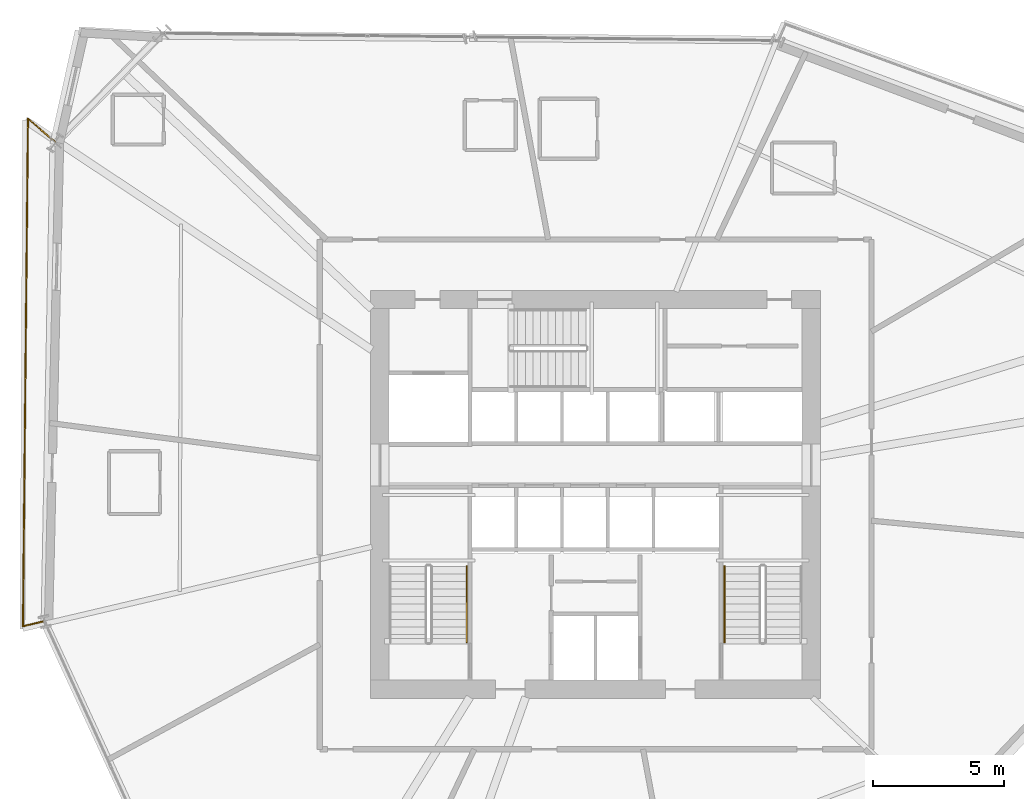
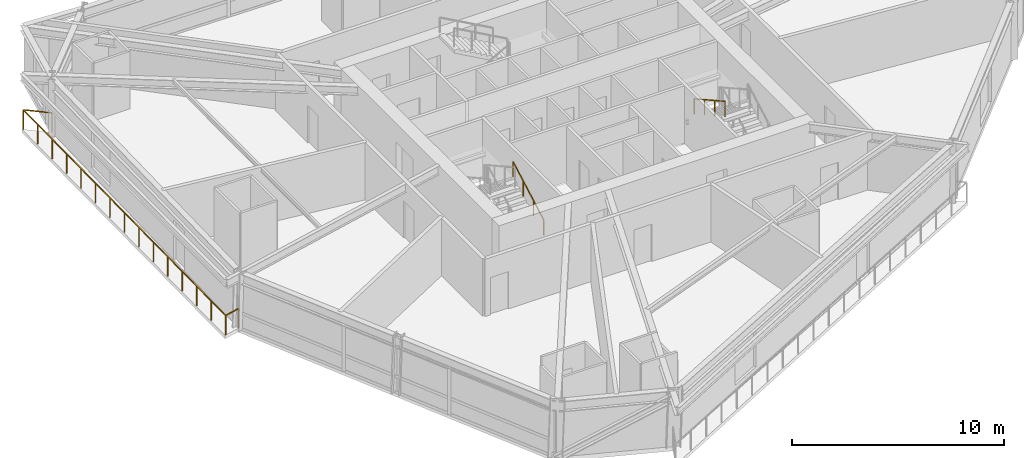
# One storey, part 19 of 21: 3 railings.
"""IFC4 building model written with IfcOpenShell, lengths in metres."""

from ifc_helpers import new_model, si_unit, direction, frame, origin, origin_2d, place, context, subcontext, project, spatial, rectangle, extrude, material, type_object, element, save


model = new_model("IFC4")

# Units and contexts
model_context = context("Model", 3, precision=1e-05, world=origin(), true_north=direction((0.0, 1.0)))
body_context = subcontext(model_context, "Body", "Model", "MODEL_VIEW")
ifc_project = project(units=[si_unit("LENGTHUNIT", "METRE"), si_unit("AREAUNIT", "SQUARE_METRE"), si_unit("VOLUMEUNIT", "CUBIC_METRE"), si_unit("PLANEANGLEUNIT", "RADIAN"), si_unit("MASSUNIT", "GRAM", prefix="KILO")], contexts=[model_context])

# Site, building, storey
site_placement = place(None, origin())
site = spatial("IfcSite", under=ifc_project, at=site_placement, CompositionType="ELEMENT")
building_placement = place(site_placement, origin())
building = spatial("IfcBuilding", under=site, at=building_placement, Name="Olszyna Solenne Hotel", CompositionType="ELEMENT")
storey_placement = place(building_placement, frame((0.0, 0.0, 91.5)))
storey = spatial("IfcBuildingStorey", under=building, at=storey_placement, Name="L23", CompositionType="ELEMENT", Elevation=91.5)

# Railings
ifc_material_1 = material(Name="Anodised bronze aluminium", Category="aluminium")
railing_type_1 = type_object("IfcRailingType", Name="GR-110", PredefinedType="BALUSTRADE", material=ifc_material_1)
railing_1_placement = place(storey_placement, frame((17.337158203125, 40.072509765625, 0.0)))
element("IfcRailing", 1, at=railing_1_placement, inside=storey, type_object=railing_type_1, Name="Loggia balcony balustrade guard GR-L23-LG2", PredefinedType="BALUSTRADE", context=body_context, shape_type="SweptSolid", body=[
    extrude(rectangle(XDim=0.048095703125, YDim=0.048095703125, at=origin_2d()), frame((0.0, 0.0, 1.1259765625), z_axis=(-0.759356549846, 0.650674749938, 0.0), x_axis=(-0.650674749938, -0.759356549846, 0.0)), (0.0, 0.0, 1.0), 1.37939453125),
    extrude(rectangle(XDim=0.048095703125, YDim=0.048095703125, at=origin_2d()), frame((-1.04736328125, 0.8974609375, 1.1259765625), z_axis=(-0.009959515066, -0.9999504028, 0.0), x_axis=(0.9999504028, -0.009959515066, 0.0)), (0.0, 0.0, 1.0), 19.41455078125),
    extrude(rectangle(XDim=0.048095703125, YDim=0.048095703125, at=origin_2d()), frame((-1.24072265625, -18.51611328125, 1.1259765625), z_axis=(0.973330055455, 0.229409248173, 0.0), x_axis=(-0.229409248173, 0.973330055455, 0.0)), (0.0, 0.0, 1.0), 0.845947265625),
    extrude(rectangle(XDim=0.0419921875, YDim=0.0419921875, at=origin_2d()), origin(), (0.0, 0.0, 1.0), 1.101806640625),
    extrude(rectangle(XDim=0.0419921875, YDim=0.0419921875, at=origin_2d()), frame((-1.04736328125, 0.8974609375, 0.0)), (0.0, 0.0, 1.0), 1.101806640625),
    extrude(rectangle(XDim=0.0419921875, YDim=0.0419921875, at=origin_2d()), frame((-1.061279296875, -0.4892578125, 0.0)), (0.0, 0.0, 1.0), 1.101806640625),
    extrude(rectangle(XDim=0.0419921875, YDim=0.0419921875, at=origin_2d()), frame((-1.074951171875, -1.8759765625, 0.0)), (0.0, 0.0, 1.0), 1.101806640625),
    extrude(rectangle(XDim=0.0419921875, YDim=0.0419921875, at=origin_2d()), frame((-1.0888671875, -3.2626953125, 0.0)), (0.0, 0.0, 1.0), 1.101806640625),
    extrude(rectangle(XDim=0.0419921875, YDim=0.0419921875, at=origin_2d()), frame((-1.1025390625, -4.649169921875, 0.0)), (0.0, 0.0, 1.0), 1.101806640625),
    extrude(rectangle(XDim=0.0419921875, YDim=0.0419921875, at=origin_2d()), frame((-1.116455078125, -6.035888671875, 0.0)), (0.0, 0.0, 1.0), 1.101806640625),
    extrude(rectangle(XDim=0.0419921875, YDim=0.0419921875, at=origin_2d()), frame((-1.130126953125, -7.422607421875, 0.0)), (0.0, 0.0, 1.0), 1.101806640625),
    extrude(rectangle(XDim=0.0419921875, YDim=0.0419921875, at=origin_2d()), frame((-1.14404296875, -8.809326171875, 0.0)), (0.0, 0.0, 1.0), 1.101806640625),
    extrude(rectangle(XDim=0.0419921875, YDim=0.0419921875, at=origin_2d()), frame((-1.157958984375, -10.196044921875, 0.0)), (0.0, 0.0, 1.0), 1.101806640625),
    extrude(rectangle(XDim=0.0419921875, YDim=0.0419921875, at=origin_2d()), frame((-1.171630859375, -11.582763671875, 0.0)), (0.0, 0.0, 1.0), 1.101806640625),
    extrude(rectangle(XDim=0.0419921875, YDim=0.0419921875, at=origin_2d()), frame((-1.185546875, -12.969482421875, 0.0)), (0.0, 0.0, 1.0), 1.101806640625),
    extrude(rectangle(XDim=0.0419921875, YDim=0.0419921875, at=origin_2d()), frame((-1.19921875, -14.35595703125, 0.0)), (0.0, 0.0, 1.0), 1.101806640625),
    extrude(rectangle(XDim=0.0419921875, YDim=0.0419921875, at=origin_2d()), frame((-1.213134765625, -15.74267578125, 0.0)), (0.0, 0.0, 1.0), 1.101806640625),
    extrude(rectangle(XDim=0.0419921875, YDim=0.0419921875, at=origin_2d()), frame((-1.226806640625, -17.12939453125, 0.0)), (0.0, 0.0, 1.0), 1.101806640625),
    extrude(rectangle(XDim=0.0419921875, YDim=0.0419921875, at=origin_2d()), frame((-1.24072265625, -18.51611328125, 0.0)), (0.0, 0.0, 1.0), 1.101806640625),
    extrude(rectangle(XDim=0.0419921875, YDim=0.0419921875, at=origin_2d()), frame((-0.417236328125, -18.322021484375, 0.0)), (0.0, 0.0, 1.0), 1.101806640625),
])
ifc_material_2 = material(Name="Steel S355J2", Category="steel")
railing_type_2 = type_object("IfcRailingType", Name="HR-090", PredefinedType="HANDRAIL", material=ifc_material_2)
railing_2_placement = place(storey_placement, frame((33.070068359375, 20.949951171875, 0.161376953125)))
element("IfcRailing", 2, at=railing_2_placement, inside=storey, type_object=railing_type_2, Name="L23 ST1 stair handrail 1", PredefinedType="HANDRAIL", context=body_context, shape_type="SweptSolid", body=[
    extrude(rectangle(XDim=0.048095703125, YDim=0.048095703125, at=origin_2d()), frame((0.0, 0.0, 0.8759765625), z_axis=(0.0, 0.873858693841, 0.486179990537), x_axis=(-1.0, 0.0, 0.0)), (0.0, 0.0, 1.0), 3.31884765625),
    extrude(rectangle(XDim=0.0419921875, YDim=0.0419921875, at=origin_2d()), origin(), (0.0, 0.0, 1.0), 0.851806640625),
    extrude(rectangle(XDim=0.0419921875, YDim=0.0419921875, at=origin_2d()), frame((0.0, 0.966796875, 0.537841796875)), (0.0, 0.0, 1.0), 0.851806640625),
    extrude(rectangle(XDim=0.0419921875, YDim=0.0419921875, at=origin_2d()), frame((0.0, 1.933349609375, 1.07568359375)), (0.0, 0.0, 1.0), 0.851806640625),
    extrude(rectangle(XDim=0.0419921875, YDim=0.0419921875, at=origin_2d()), frame((0.0, 2.900146484375, 1.613525390625)), (0.0, 0.0, 1.0), 0.851806640625),
])
railing_3_placement = place(storey_placement, frame((42.929931640625, 23.85009765625, 1.936279296875)))
element("IfcRailing", 3, at=railing_3_placement, inside=storey, type_object=railing_type_2, Name="L23 ST2 stair handrail 2", PredefinedType="HANDRAIL", context=body_context, shape_type="SweptSolid", body=[
    extrude(rectangle(XDim=0.048095703125, YDim=0.048095703125, at=origin_2d()), frame((0.0, 0.0, 0.8759765625), z_axis=(0.0, -0.873827439584, 0.48623616261), x_axis=(1.0, 0.0, 0.0)), (0.0, 0.0, 1.0), 3.31884765625),
    extrude(rectangle(XDim=0.0419921875, YDim=0.0419921875, at=origin_2d()), origin(), (0.0, 0.0, 1.0), 0.851806640625),
    extrude(rectangle(XDim=0.0419921875, YDim=0.0419921875, at=origin_2d()), frame((0.0, -0.966796875, 0.537841796875)), (0.0, 0.0, 1.0), 0.851806640625),
    extrude(rectangle(XDim=0.0419921875, YDim=0.0419921875, at=origin_2d()), frame((0.0, -1.933349609375, 1.075927734375)), (0.0, 0.0, 1.0), 0.851806640625),
    extrude(rectangle(XDim=0.0419921875, YDim=0.0419921875, at=origin_2d()), frame((0.0, -2.900146484375, 1.61376953125)), (0.0, 0.0, 1.0), 0.851806640625),
])

save(model, "model.ifc")
